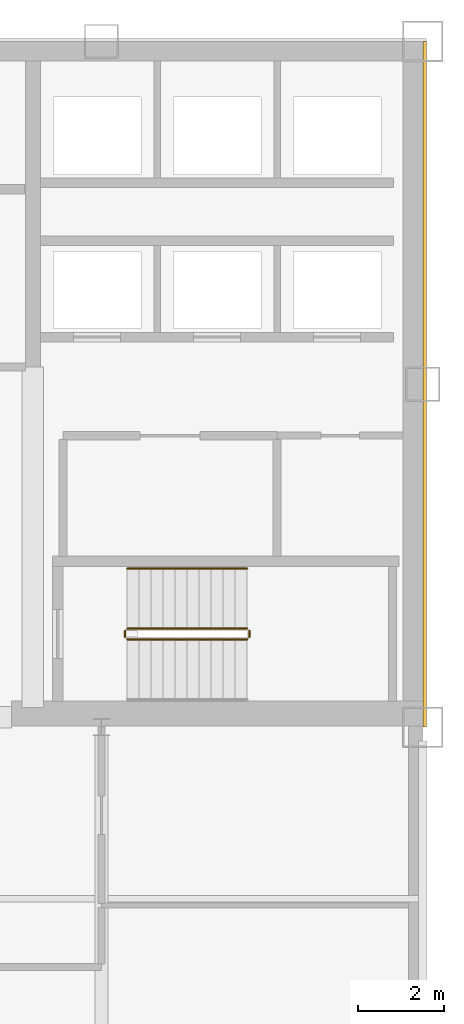
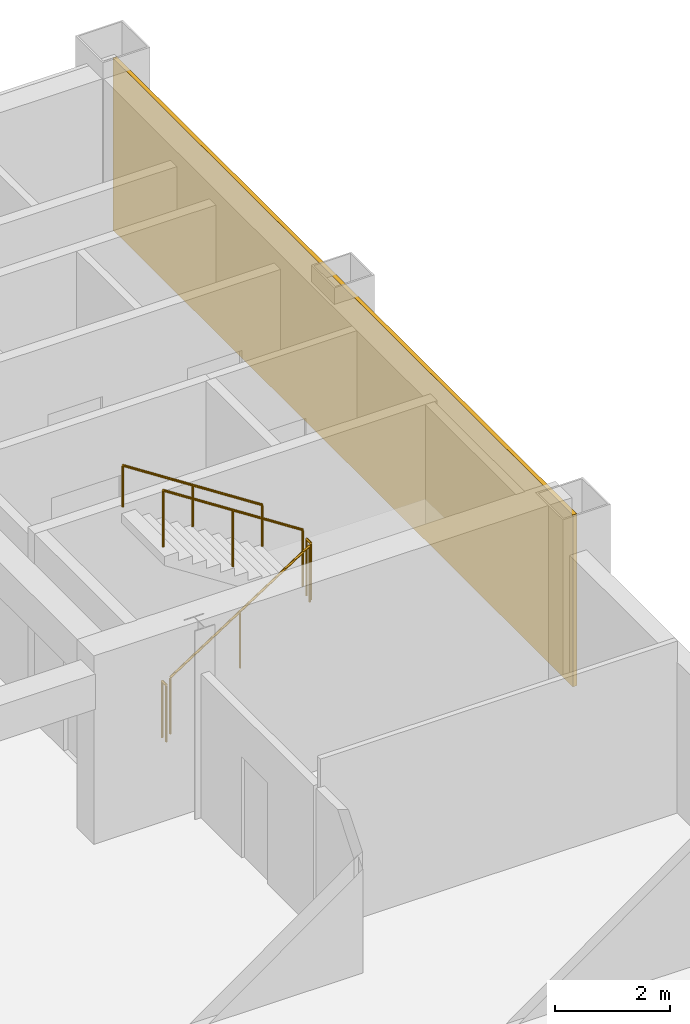
# One storey, part 9 of 11: 5 railings, 1 covering.
"""IFC4 building model written with IfcOpenShell, lengths in metres."""

from ifc_helpers import new_model, si_unit, direction, frame, origin, origin_2d, place, context, subcontext, project, spatial, rectangle, circle, extrude, material, layer, layer_set, type_object, element, save


model = new_model("IFC4")

# Units and contexts
model_context = context("Model", 3, precision=1e-05, world=origin(), true_north=direction((0.0, 1.0)))
body_context = subcontext(model_context, "Body", "Model", "MODEL_VIEW")
ifc_project = project(units=[si_unit("LENGTHUNIT", "METRE"), si_unit("AREAUNIT", "SQUARE_METRE"), si_unit("VOLUMEUNIT", "CUBIC_METRE"), si_unit("PLANEANGLEUNIT", "RADIAN"), si_unit("MASSUNIT", "GRAM", prefix="KILO")], contexts=[model_context])

# Site, building, storey
site_placement = place(None, origin())
site = spatial("IfcSite", under=ifc_project, at=site_placement, CompositionType="ELEMENT")
building_placement = place(site_placement, origin())
building = spatial("IfcBuilding", under=site, at=building_placement, Name="Qianrong Seaharbour Tower", CompositionType="ELEMENT")
storey_placement = place(building_placement, frame((0.0, 0.0, 277.800048828125)))
storey = spatial("IfcBuildingStorey", under=building, at=storey_placement, Name="L67", CompositionType="ELEMENT", Elevation=277.800048828125)

# Covering
ifc_material_1 = material(Name="Unitised red brick cladding on Precast concrete C45/55", Category="masonry")
ifc_layer = layer(ifc_material_1, 0.080078125)
ifc_layer_set = layer_set([ifc_layer], Name="Unitised red brick cladding on Precast concrete C45/55")
covering_type = type_object("IfcCoveringType", Name="COV-CLAD-RED-BRICK-80", PredefinedType="CLADDING", material=ifc_layer_set)
covering_placement = place(storey_placement, frame((64.0400390625, 44.0, 0.0), z_axis=(0.0, 0.0, 1.0), x_axis=(1.0, 0.0, 0.0)))
element("IfcCovering", 1, at=covering_placement, inside=storey, type_object=covering_type, Name="L67 East Core Brick Veneer Cladding", PredefinedType="CLADDING", context=body_context, shape_type="SweptSolid", body=[
    extrude(rectangle(XDim=0.080078125, YDim=16.0, at=origin_2d()), origin(), (0.0, 0.0, 1.0), 3.64990234375),
])

# Railings
ifc_material_2 = material(Name="Galvanized painted steel SN400B stair guard", Category="steel")
railing_type_1 = type_object("IfcRailingType", Name="RAIL-STAIR-GUARD-1220", PredefinedType="GUARDRAIL", material=ifc_material_2)
railing_1_placement = place(storey_placement, frame((57.10009765625, 38.050048828125, 0.181884765625)))
element("IfcRailing", 2, at=railing_1_placement, inside=storey, type_object=railing_type_1, Name="L67 ST-2 stair guard 1", PredefinedType="GUARDRAIL", context=body_context, shape_type="SweptSolid", body=[
    extrude(circle(Radius=0.02392578125, at=origin_2d()), frame((0.0, 0.0, 1.19580078125), z_axis=(0.83868413941, 0.0, 0.544618136222), x_axis=(0.0, 1.0, 0.0)), (0.0, 0.0, 1.0), 3.33837890625),
    extrude(circle(Radius=0.02099609375, at=origin_2d()), origin(), (0.0, 0.0, 1.0), 1.171875),
    extrude(circle(Radius=0.02099609375, at=origin_2d()), frame((1.39990234375, 0.0, 0.9091796875)), (0.0, 0.0, 1.0), 1.171875),
    extrude(circle(Radius=0.02099609375, at=origin_2d()), frame((2.7998046875, 0.0, 1.818115234375)), (0.0, 0.0, 1.0), 1.171875),
])
railing_2_placement = place(storey_placement, frame((59.949951171875, 38.10009765625, 2.0)))
element("IfcRailing", 3, at=railing_2_placement, inside=storey, type_object=railing_type_1, Name="L67 ST-2 stair guard 2", PredefinedType="GUARDRAIL", context=body_context, shape_type="SweptSolid", body=[
    extrude(circle(Radius=0.02392578125, at=origin_2d()), frame((0.0, 0.0, 1.19580078125), z_axis=(0.0, 1.0, 0.0), x_axis=(-1.0, 0.0, 0.0)), (0.0, 0.0, 1.0), 0.14990234375),
    extrude(circle(Radius=0.02099609375, at=origin_2d()), origin(), (0.0, 0.0, 1.0), 1.171875),
    extrude(circle(Radius=0.02099609375, at=origin_2d()), frame((0.0, 0.14990234375, 0.0)), (0.0, 0.0, 1.0), 1.171875),
])
railing_3_placement = place(storey_placement, frame((59.89990234375, 38.300048828125, 2.181884765625)))
element("IfcRailing", 4, at=railing_3_placement, inside=storey, type_object=railing_type_1, Name="L67 ST-2 stair guard 3", PredefinedType="GUARDRAIL", context=body_context, shape_type="SweptSolid", body=[
    extrude(circle(Radius=0.02392578125, at=origin_2d()), frame((0.0, 0.0, 1.19580078125), z_axis=(-0.83868413941, 0.0, 0.544618136222), x_axis=(0.0, -1.0, 0.0)), (0.0, 0.0, 1.0), 3.33837890625),
    extrude(circle(Radius=0.02099609375, at=origin_2d()), origin(), (0.0, 0.0, 1.0), 1.171875),
    extrude(circle(Radius=0.02099609375, at=origin_2d()), frame((-1.39990234375, 0.0, 0.9091796875)), (0.0, 0.0, 1.0), 1.171875),
    extrude(circle(Radius=0.02099609375, at=origin_2d()), frame((-2.7998046875, 0.0, 1.818115234375)), (0.0, 0.0, 1.0), 1.171875),
])
railing_4_placement = place(storey_placement, frame((57.050048828125, 38.10009765625, 0.0)))
element("IfcRailing", 5, at=railing_4_placement, inside=storey, type_object=railing_type_1, Name="L67 ST-2 stair guard 4", PredefinedType="GUARDRAIL", context=body_context, shape_type="SweptSolid", body=[
    extrude(circle(Radius=0.02392578125, at=origin_2d()), frame((0.0, 0.0, 1.19580078125), z_axis=(0.0, 1.0, 0.0), x_axis=(-1.0, 0.0, 0.0)), (0.0, 0.0, 1.0), 0.14990234375),
    extrude(circle(Radius=0.02099609375, at=origin_2d()), origin(), (0.0, 0.0, 1.0), 1.171875),
    extrude(circle(Radius=0.02099609375, at=origin_2d()), frame((0.0, 0.14990234375, 0.0)), (0.0, 0.0, 1.0), 1.171875),
])
ifc_material_3 = material(Name="Stainless steel SUS316L continuous handrail", Category="steel")
railing_type_2 = type_object("IfcRailingType", Name="RAIL-STAIR-HANDRAIL-900", PredefinedType="HANDRAIL", material=ifc_material_3)
railing_5_placement = place(storey_placement, frame((59.89990234375, 39.699951171875, 2.181884765625)))
element("IfcRailing", 6, at=railing_5_placement, inside=storey, type_object=railing_type_2, Name="L67 ST-2 stair handrail 2", PredefinedType="HANDRAIL", context=body_context, shape_type="SweptSolid", body=[
    extrude(circle(Radius=0.02392578125, at=origin_2d()), frame((0.0, 0.0, 0.8759765625), z_axis=(-0.83868413941, 0.0, 0.544618136222), x_axis=(0.0, -1.0, 0.0)), (0.0, 0.0, 1.0), 3.33837890625),
    extrude(circle(Radius=0.02099609375, at=origin_2d()), origin(), (0.0, 0.0, 1.0), 0.851806640625),
    extrude(circle(Radius=0.02099609375, at=origin_2d()), frame((-1.39990234375, 0.0, 0.9091796875)), (0.0, 0.0, 1.0), 0.851806640625),
    extrude(circle(Radius=0.02099609375, at=origin_2d()), frame((-2.7998046875, 0.0, 1.818115234375)), (0.0, 0.0, 1.0), 0.851806640625),
])

save(model, "model.ifc")
